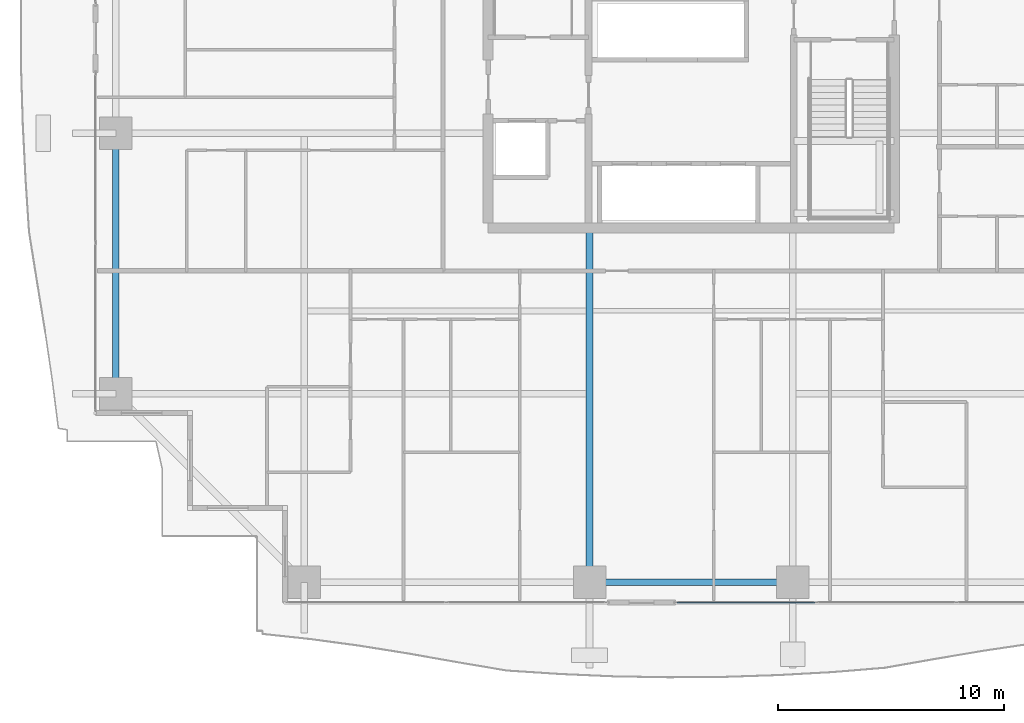
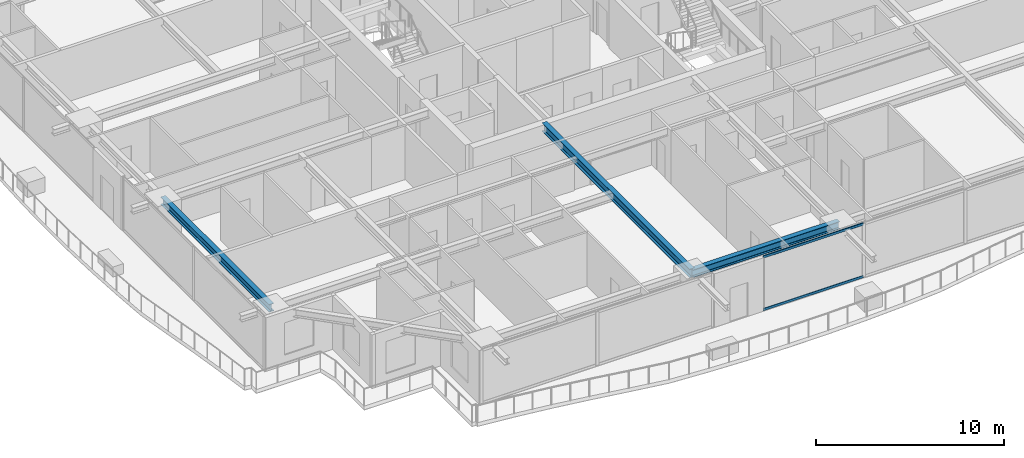
# One storey, part 6 of 40: 3 beams, 2 members, 1 element without a shape of its own.
"""IFC4 building model written with IfcOpenShell, lengths in metres."""

import ifcopenshell
import ifcopenshell.guid

model = None  # the IFC model being written
_history = None  # IfcOwnerHistory: only IFC2X3 demands one
_inside = {}  # id of a spatial element -> (the spatial element, [elements in it])
_under = {}  # id of a project, library or spatial element -> (it, [spatial elements below it])
_declared = {}  # id of a project -> (the project, [libraries it declares])
_typed = {}  # id of a type object -> (the type object, [elements of that type])
_made_of = {}  # id of a material, layer set ... -> (it, [elements and type objects made of it])


def new_model(schema):
    """Start an empty IFC model of exactly this schema.

    Asked for "IFC4X3", IfcOpenShell would pick the latest addendum, in which some entities
    have other attributes; the version numbers below select the first issue.
    IFC2X3 requires an IfcOwnerHistory on every rooted entity: one is made here for all.
    """
    global model, _history
    if schema == "IFC4X3":
        model = ifcopenshell.file(schema_version=(4, 3, 0, 0))
    else:
        model = ifcopenshell.file(schema=schema)
    _inside.clear()
    _under.clear()
    _declared.clear()
    _typed.clear()
    _made_of.clear()
    _history = None
    if model.schema == "IFC2X3":
        org = make("IfcOrganization", Name="unknown")
        user = make(
            "IfcPersonAndOrganization",
            ThePerson=make("IfcPerson", FamilyName="unknown"),
            TheOrganization=org,
        )
        app = make(
            "IfcApplication",
            ApplicationDeveloper=org,
            Version="unknown",
            ApplicationFullName="unknown",
            ApplicationIdentifier="unknown",
        )
        _history = make(
            "IfcOwnerHistory",
            OwningUser=user,
            OwningApplication=app,
            ChangeAction="ADDED",
            CreationDate=0,
        )
    return model


def make(cls, **values):
    """One entity of the class cls with the attributes given. An attribute that is None is left unset."""
    return model.create_entity(
        cls, **{name: value for name, value in values.items() if value is not None}
    )


def rooted(cls, **values):
    """An entity with a GlobalId (a new one), such as an element, a storey or a relation."""
    return make(cls, GlobalId=ifcopenshell.guid.new(), OwnerHistory=_history, **values)


def si_unit(unit_type, name, prefix=None):
    """IfcSIUnit, for example si_unit("LENGTHUNIT", "METRE", prefix="MILLI")."""
    return make("IfcSIUnit", UnitType=unit_type, Prefix=prefix, Name=name)


def assignment(units):
    """IfcUnitAssignment: the units of a project."""
    return None if units is None else make("IfcUnitAssignment", Units=units)


def point(xyz):
    """IfcCartesianPoint."""
    return None if xyz is None else make("IfcCartesianPoint", Coordinates=xyz)


def direction(xyz):
    """IfcDirection."""
    return None if xyz is None else make("IfcDirection", DirectionRatios=xyz)


def frame(location, z_axis=None, x_axis=None):
    """IfcAxis2Placement3D, a coordinate frame: its origin and axes. An axis left out is left unset."""
    return make(
        "IfcAxis2Placement3D",
        Location=point(location),
        Axis=direction(z_axis),
        RefDirection=direction(x_axis),
    )


def frame_2d(location, x_axis=None):
    """IfcAxis2Placement2D, a coordinate frame in the plane: its origin and x axis."""
    return make(
        "IfcAxis2Placement2D", Location=point(location), RefDirection=direction(x_axis)
    )


def origin():
    """The frame at (0, 0, 0) with its axes left unset."""
    return frame((0.0, 0.0, 0.0))


def origin_2d():
    """The frame at (0, 0) in the plane with its x axis left unset."""
    return frame_2d((0.0, 0.0))


def place(relative_to, where):
    """IfcLocalPlacement: puts the frame where relative to a parent placement (None: the world)."""
    return make(
        "IfcLocalPlacement", PlacementRelTo=relative_to, RelativePlacement=where
    )


def context(
    kind, dimensions, precision=None, world=None, true_north=None, identifier=None
):
    """IfcGeometricRepresentationContext, for example the 3D "Model" context."""
    return make(
        "IfcGeometricRepresentationContext",
        ContextIdentifier=identifier,
        ContextType=kind,
        CoordinateSpaceDimension=dimensions,
        Precision=precision,
        WorldCoordinateSystem=world,
        TrueNorth=true_north,
    )


def subcontext(parent, identifier, kind, view, scale=None):
    """IfcGeometricRepresentationSubContext, for example "Body" below "Model"."""
    return make(
        "IfcGeometricRepresentationSubContext",
        ContextIdentifier=identifier,
        ContextType=kind,
        ParentContext=parent,
        TargetScale=scale,
        TargetView=view,
    )


def project(units=None, contexts=None):
    """IfcProject with its units and contexts."""
    return rooted(
        "IfcProject",
        Name="project",
        RepresentationContexts=contexts,
        UnitsInContext=assignment(units),
    )


def spatial(cls, under=None, at=None, **own):
    """A site, building, storey or space (cls), placed at a placement, below another one or the project."""
    s = rooted(cls, ObjectPlacement=at, **own)
    if under is not None:
        _under.setdefault(under.id(), (under, []))[1].append(s)
    return s


def profile(cls, at=None, kind="AREA", **sizes):
    """A parametric profile (cls). Its sizes go by their IFC names, for example OverallWidth=200.0."""
    return make(cls, ProfileType=kind, Position=at, **sizes)


def hollow_rectangle(**sizes):
    """IfcRectangleHollowProfileDef."""
    return profile("IfcRectangleHollowProfileDef", **sizes)


def i_section(**sizes):
    """IfcIShapeProfileDef."""
    return profile("IfcIShapeProfileDef", **sizes)


def extrude(swept, where, along, depth):
    """IfcExtrudedAreaSolid: the profile swept, set in the frame where, extruded along a direction by depth."""
    return make(
        "IfcExtrudedAreaSolid",
        SweptArea=swept,
        Position=where,
        ExtrudedDirection=direction(along),
        Depth=depth,
    )


def shape(context_of_items, identifier, shape_type, items):
    """IfcShapeRepresentation: the items that make up one representation, for example the "Body"."""
    return make(
        "IfcShapeRepresentation",
        ContextOfItems=context_of_items,
        RepresentationIdentifier=identifier,
        RepresentationType=shape_type,
        Items=items,
    )


def source(mapping_origin, context_of_items, identifier, shape_type, items):
    """IfcRepresentationMap: a shape defined once, which mapped items show again and again."""
    return make(
        "IfcRepresentationMap",
        MappingOrigin=mapping_origin,
        MappedRepresentation=shape(context_of_items, identifier, shape_type, items),
    )


def transform(
    local_origin,
    x_axis=None,
    y_axis=None,
    z_axis=None,
    scale=None,
    scale2=None,
    scale3=None,
    uniform=True,
):
    """IfcCartesianTransformationOperator3D, or its non-uniform kind. x_axis, y_axis, z_axis: its Axis1, 2, 3."""
    if uniform:
        return make(
            "IfcCartesianTransformationOperator3D",
            Axis1=direction(x_axis),
            Axis2=direction(y_axis),
            LocalOrigin=point(local_origin),
            Scale=scale,
            Axis3=direction(z_axis),
        )
    return make(
        "IfcCartesianTransformationOperator3DnonUniform",
        Axis1=direction(x_axis),
        Axis2=direction(y_axis),
        LocalOrigin=point(local_origin),
        Scale=scale,
        Axis3=direction(z_axis),
        Scale2=scale2,
        Scale3=scale3,
    )


def mapped(mapping_source, mapping_target):
    """IfcMappedItem: shows the shape of a source again, moved by a transform."""
    return make(
        "IfcMappedItem", MappingSource=mapping_source, MappingTarget=mapping_target
    )


def material(Name=None, Category=None):
    """IfcMaterial."""
    return make("IfcMaterial", Name=Name, Category=Category)


def layer(
    of_material, thickness, ventilated=None, Name=None, Category=None, Priority=None
):
    """IfcMaterialLayer: one layer of a wall or slab, of a material (None: an air gap)."""
    return make(
        "IfcMaterialLayer",
        Material=of_material,
        LayerThickness=thickness,
        IsVentilated=ventilated,
        Name=Name,
        Category=Category,
        Priority=Priority,
    )


def layer_set(layers, Name=None):
    """IfcMaterialLayerSet."""
    return make("IfcMaterialLayerSet", MaterialLayers=layers, LayerSetName=Name)


def material_profile(
    of_material, cross_section, Name=None, Category=None, Priority=None
):
    """IfcMaterialProfile: a cross section and its material."""
    return make(
        "IfcMaterialProfile",
        Name=Name,
        Material=of_material,
        Profile=cross_section,
        Priority=Priority,
        Category=Category,
    )


def profile_set(profiles, Name=None, composite=None):
    """IfcMaterialProfileSet."""
    return make(
        "IfcMaterialProfileSet",
        Name=Name,
        MaterialProfiles=profiles,
        CompositeProfile=composite,
    )


def made_of(thing, what):
    """Note that an element or type object is made of a material, layer set ...; save() writes the relation."""
    if what is not None:
        _made_of.setdefault(what.id(), (what, []))[1].append(thing)
    return thing


def type_object(cls, material=None, **own):
    """A type object (cls), such as IfcWallType, which elements share."""
    return made_of(rooted(cls, **own), material)


def element(
    cls,
    number,
    at=None,
    inside=None,
    cuts=None,
    type_object=None,
    material=None,
    context=None,
    identifier="Body",
    shape_type=None,
    held_by="IfcProductDefinitionShape",
    body=None,
    shapes=None,
    **own,
):
    """One element of the class cls, such as IfcWall. Its Tag is "e" and its number.

    at: its placement. inside: the storey or other place that contains it. cuts: it is an
    opening in that element (IfcRelVoidsElement). A single representation is given by context,
    identifier, shape_type and body (its items); several are given by shapes. held_by: the class
    of the entity that holds the representations. save() writes the other relations.
    """
    e = rooted(cls, Tag="e%d" % number, ObjectPlacement=at, **own)
    if body is not None:
        shapes = [shape(context, identifier, shape_type, body)]
    if shapes is not None:
        e.Representation = make(held_by, Representations=shapes)
    if inside is not None:
        _inside.setdefault(inside.id(), (inside, []))[1].append(e)
    if cuts is not None:
        rooted(
            "IfcRelVoidsElement", RelatingBuildingElement=cuts, RelatedOpeningElement=e
        )
    if type_object is not None:
        _typed.setdefault(type_object.id(), (type_object, []))[1].append(e)
    return made_of(e, material)


def aggregate(whole, parts):
    """IfcRelAggregates: a whole, such as a stair, and the parts it consists of."""
    return rooted("IfcRelAggregates", RelatingObject=whole, RelatedObjects=parts)


def save(model, path):
    """Write the relations noted so far, then the file.

    IfcRelAggregates (storeys below a building ...), IfcRelContainedInSpatialStructure (elements
    in a storey), IfcRelDefinesByType, IfcRelAssociatesMaterial and IfcRelDeclares: one each for
    every whole, place, type object, material and project.
    """
    for whole, parts in _under.values():
        aggregate(whole, parts)
    for where, things in _inside.values():
        rooted(
            "IfcRelContainedInSpatialStructure",
            RelatedElements=things,
            RelatingStructure=where,
        )
    for kind, things in _typed.values():
        rooted("IfcRelDefinesByType", RelatedObjects=things, RelatingType=kind)
    for what, things in _made_of.values():
        rooted("IfcRelAssociatesMaterial", RelatedObjects=things, RelatingMaterial=what)
    for by, libraries in _declared.values():
        rooted("IfcRelDeclares", RelatingContext=by, RelatedDefinitions=libraries)
    model.write(path)


model = new_model("IFC4")

# Units and contexts
model_context = context("Model", 3, precision=1e-05, world=origin(), true_north=direction((0.0, 1.0)))
body_context = subcontext(model_context, "Body", "Model", "MODEL_VIEW")
ifc_project = project(units=[si_unit("LENGTHUNIT", "METRE"), si_unit("AREAUNIT", "SQUARE_METRE"), si_unit("VOLUMEUNIT", "CUBIC_METRE"), si_unit("PLANEANGLEUNIT", "RADIAN"), si_unit("MASSUNIT", "GRAM", prefix="KILO")], contexts=[model_context])

# Site, building, storey
site_placement = place(None, origin())
site = spatial("IfcSite", under=ifc_project, at=site_placement, CompositionType="ELEMENT")
building_placement = place(site_placement, origin())
building = spatial("IfcBuilding", under=site, at=building_placement, Name="Serunith Strait Residences", CompositionType="ELEMENT")
storey_placement = place(building_placement, frame((0.0, 0.0, 90.449951171875)))
storey = spatial("IfcBuildingStorey", under=building, at=storey_placement, Name="L22", CompositionType="ELEMENT", Elevation=90.449951171875)

# Beams
ifc_material_1 = material(Name="Steel S355J2", Category="steel")
ifc_material_profile_1 = material_profile(ifc_material_1, i_section(OverallWidth=0.300048828125, OverallDepth=0.550048828125, WebThickness=0.014892578125, FlangeThickness=0.029052734375, FilletRadius=0.027099609375, at=origin_2d()), Name="HEB 550")
ifc_profile_set_1 = profile_set([ifc_material_profile_1], Name="Steel S355J2")
beam_type_1 = type_object("IfcBeamType", Name="BM-HEB550", PredefinedType="BEAM", material=ifc_profile_set_1)
shared_shape_1 = source(origin(), body_context, "Body", "SweptSolid", [
    extrude(i_section(OverallWidth=0.300048828125, OverallDepth=0.550048828125, WebThickness=0.014892578125, FlangeThickness=0.029052734375, FilletRadius=0.027099609375, at=origin_2d()), origin(), (0.0, 0.0, 1.0), 15.699951171875),
])
beam_1_placement = place(storey_placement, frame((27.89990234375, 16.800048828125, 3.212158203125), z_axis=(0.0, -1.0, 0.0), x_axis=(1.0, 0.0, 0.0)))
element("IfcBeam", 1, at=beam_1_placement, inside=storey, type_object=beam_type_1, Name="L22 Primary Floor Girder TC-S2", PredefinedType="BEAM", context=body_context, shape_type="MappedRepresentation", body=[
    mapped(shared_shape_1, transform((0.0, 0.0, 0.0), scale=1.0)),
])
ifc_material_profile_2 = material_profile(ifc_material_1, i_section(OverallWidth=0.300048828125, OverallDepth=0.5, WebThickness=0.014404296875, FlangeThickness=0.028076171875, FilletRadius=0.027099609375, at=origin_2d()), Name="HEB 500")
ifc_profile_set_2 = profile_set([ifc_material_profile_2], Name="Steel S355J2")
beam_type_2 = type_object("IfcBeamType", Name="BM-HEB500", PredefinedType="BEAM", material=ifc_profile_set_2)
shared_shape_2 = source(origin(), body_context, "Body", "SweptSolid", [
    extrude(i_section(OverallWidth=0.300048828125, OverallDepth=0.5, WebThickness=0.014404296875, FlangeThickness=0.028076171875, FilletRadius=0.027099609375, at=origin_2d()), origin(), (0.0, 0.0, 1.0), 9.0),
])
beam_2_placement = place(storey_placement, frame((27.89990234375, 1.10009765625, 3.237060546875), z_axis=(1.0, 0.0, 0.0), x_axis=(0.0, 1.0, 0.0)))
element("IfcBeam", 2, at=beam_2_placement, inside=storey, type_object=beam_type_2, Name="L22 Perimeter Ring Beam 02", PredefinedType="BEAM", context=body_context, shape_type="MappedRepresentation", body=[
    mapped(shared_shape_2, transform((0.0, 0.0, 0.0), scale=1.0)),
])
shared_shape_3 = source(origin(), body_context, "Body", "SweptSolid", [
    extrude(i_section(OverallWidth=0.300048828125, OverallDepth=0.5, WebThickness=0.014404296875, FlangeThickness=0.028076171875, FilletRadius=0.027099609375, at=origin_2d()), origin(), (0.0, 0.0, 1.0), 11.550048828125),
])
beam_3_placement = place(storey_placement, frame((6.89990234375, 21.0, 3.237060546875), z_axis=(0.0, -1.0, 0.0), x_axis=(1.0, 0.0, 0.0)))
element("IfcBeam", 3, at=beam_3_placement, inside=storey, type_object=beam_type_2, Name="L22 Perimeter Ring Beam 15", PredefinedType="BEAM", context=body_context, shape_type="MappedRepresentation", body=[
    mapped(shared_shape_3, transform((0.0, 0.0, 0.0), scale=1.0)),
])

# Curtain wall, members
ifc_material_2 = material(Name="Pale-Champagne Anodised Aluminium", Category="aluminium")
ifc_layer = layer(ifc_material_2, 0.199951171875, Name="Pale-Champagne Anodised Aluminium")
ifc_layer_set = layer_set([ifc_layer], Name="Pale-Champagne Anodised Aluminium")
curtain_wall_type = type_object("IfcCurtainWallType", Name="CW-SYS1", PredefinedType="NOTDEFINED", material=ifc_layer_set)
curtain_wall_placement = place(storey_placement, origin())
curtain_wall = element("IfcCurtainWall", 4, at=curtain_wall_placement, inside=storey, type_object=curtain_wall_type, Name="L22 S Unitised Fritted Curtain Wall", PredefinedType="NOTDEFINED")
ifc_material_profile_3 = material_profile(ifc_material_2, hollow_rectangle(XDim=0.06005859375, YDim=0.159912109375, WallThickness=0.00341796875, InnerFilletRadius=0.00537109375, OuterFilletRadius=0.0087890625, at=origin_2d()), Name="ALU 160x60x3.5")
ifc_profile_set_3 = profile_set([ifc_material_profile_3], Name="Pale-Champagne Anodised Aluminium")
member_type = type_object("IfcMemberType", Name="CW-SYS1-TRAN", PredefinedType="USERDEFINED", material=ifc_profile_set_3)
shared_shape_4 = source(origin(), body_context, "Body", "SweptSolid", [
    extrude(hollow_rectangle(XDim=0.06005859375, YDim=0.159912109375, WallThickness=0.00341796875, InnerFilletRadius=0.00537109375, OuterFilletRadius=0.0087890625, at=origin_2d()), origin(), (0.0, 0.0, 1.0), 6.12841796875),
])
member_1_placement = place(storey_placement, frame((31.77001953125, 0.199951171875, 0.030029296875), z_axis=(1.0, 0.0, 0.0), x_axis=(0.0, 1.0, 0.0)))
member_1 = element("IfcMember", 5, at=member_1_placement, type_object=member_type, Name="CW-1 transom 1.1", ObjectType="TRANSOM", PredefinedType="USERDEFINED", context=body_context, shape_type="MappedRepresentation", body=[
    mapped(shared_shape_4, transform((0.0, 0.0, 0.0), scale=1.0)),
])
member_2_placement = place(storey_placement, frame((31.77001953125, 0.199951171875, 3.445068359375), z_axis=(1.0, 0.0, 0.0), x_axis=(0.0, 1.0, 0.0)))
member_2 = element("IfcMember", 6, at=member_2_placement, type_object=member_type, Name="CW-1 transom 1.2", ObjectType="TRANSOM", PredefinedType="USERDEFINED", context=body_context, shape_type="MappedRepresentation", body=[
    mapped(shared_shape_4, transform((0.0, 0.0, 0.0), scale=1.0)),
])
aggregate(curtain_wall, [member_1, member_2])

save(model, "model.ifc")
